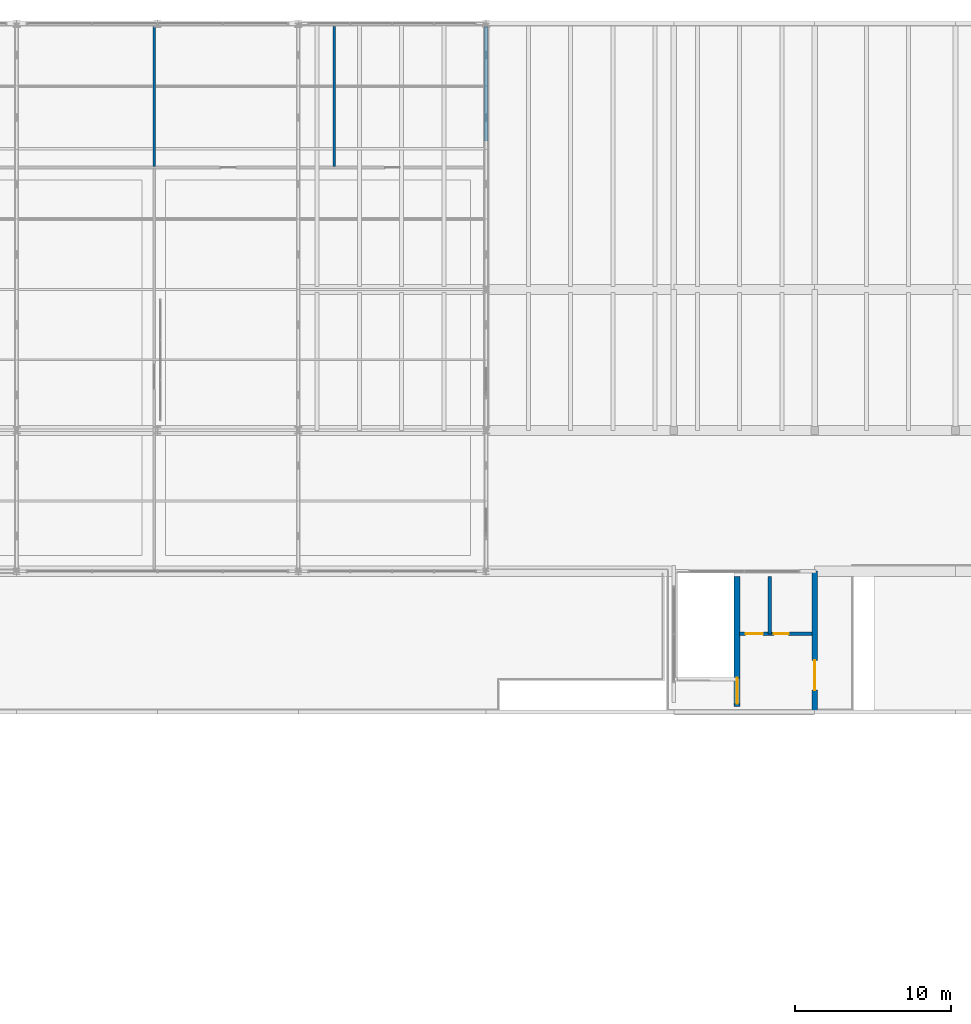
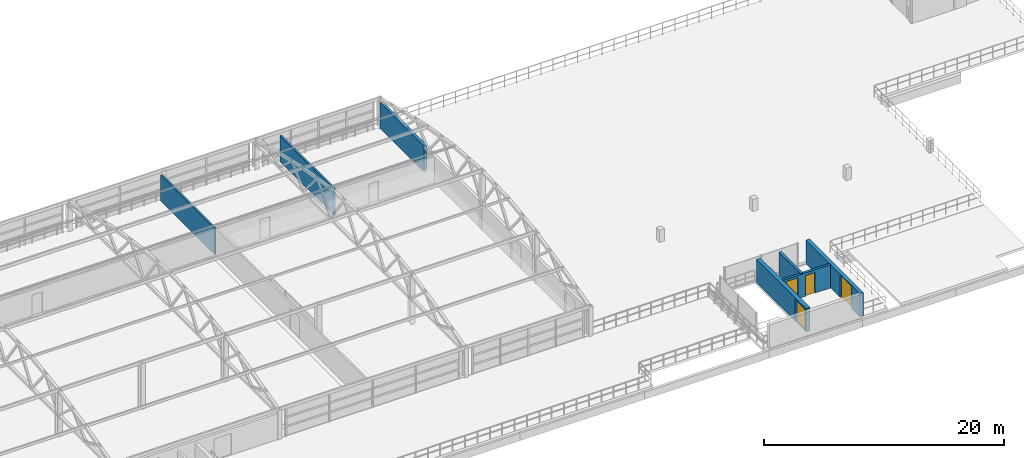
# One storey, part 39 of 50: 7 walls, 4 doors, 4 openings.
"""IFC4 building model written with IfcOpenShell, lengths in metres."""

from ifc_helpers import new_model, si_unit, derived_unit, direction, frame, frame_2d, origin, place, context, subcontext, project, spatial, rectangle, extrude, material, layer, layer_set, type_object, element, fill, save


model = new_model("IFC4")

# Units and contexts
model_context = context("Model", 3, precision=1e-05, world=origin(), true_north=direction((0.0, 1.0)))
body_context = subcontext(model_context, "Body", "Model", "MODEL_VIEW")
ifc_project = project(units=[si_unit("LENGTHUNIT", "METRE"), si_unit("AREAUNIT", "SQUARE_METRE"), si_unit("VOLUMEUNIT", "CUBIC_METRE"), si_unit("PLANEANGLEUNIT", "RADIAN"), si_unit("MASSUNIT", "GRAM", prefix="KILO"), si_unit("THERMODYNAMICTEMPERATUREUNIT", "KELVIN"), derived_unit("THERMALTRANSMITTANCEUNIT", [(si_unit("POWERUNIT", "WATT"), 1), (si_unit("AREAUNIT", "SQUARE_METRE"), -1), (si_unit("THERMODYNAMICTEMPERATUREUNIT", "KELVIN"), -1)])], contexts=[model_context])

# Site, building, storey
site_placement = place(None, origin())
site = spatial("IfcSite", under=ifc_project, at=site_placement, CompositionType="ELEMENT")
building_placement = place(site_placement, origin())
building = spatial("IfcBuilding", under=site, at=building_placement, Name="Haiyu Intermodal Mobility Hub", CompositionType="ELEMENT")
storey_placement = place(building_placement, frame((0.0, 0.0, 25.10009765625)))
storey = spatial("IfcBuildingStorey", under=building, at=storey_placement, Name="L06", CompositionType="ELEMENT", Elevation=25.10009765625)

# Walls
ifc_material_1 = material(Name="Anodised aluminium 6063-T6", Category="aluminium")
ifc_layer_1 = layer(ifc_material_1, 0.280029296875)
ifc_layer_set_1 = layer_set([ifc_layer_1], Name="Anodised aluminium 6063-T6")
wall_type_1 = type_object("IfcWallType", Name="WAL-WE02", PredefinedType="STANDARD", material=ifc_layer_set_1)
wall_1_placement = place(storey_placement, frame((108.0, 140.47998046875, 0.0), z_axis=(0.0, 0.0, 1.0), x_axis=(0.0, 1.0, 0.0)))
element("IfcWall", 1, at=wall_1_placement, inside=storey, type_object=wall_type_1, Name="WAL-V3E-261", PredefinedType="STANDARD", context=body_context, shape_type="SweptSolid", body=[
    extrude(rectangle(XDim=7.31494140625, YDim=0.280029296875, at=frame_2d((3.657470703125, 0.0))), origin(), (0.0, 0.0, 1.0), 2.64990234375),
])
ifc_material_2 = material(Name="Autoclaved aerated concrete block A5.0", Category="concrete")
ifc_layer_2 = layer(ifc_material_2, 0.22998046875)
ifc_layer_set_2 = layer_set([ifc_layer_2], Name="Autoclaved aerated concrete block A5.0")
wall_type_2 = type_object("IfcWallType", Name="WAL-WI01", PredefinedType="PARTITIONING", material=ifc_layer_set_2)
wall_2_placement = place(storey_placement, frame((126.1298828125, 109.0, 0.0), z_axis=(0.0, 0.0, 1.0), x_axis=(0.0, 1.0, 0.0)))
element("IfcWall", 2, at=wall_2_placement, inside=storey, type_object=wall_type_2, Name="WAL-CORE-C6-LSH-L06", PredefinedType="PARTITIONING", context=body_context, shape_type="SweptSolid", body=[
    extrude(rectangle(XDim=3.64990234375, YDim=0.22998046875, at=frame_2d((1.824951171875, 0.0))), origin(), (0.0, 0.0, 1.0), 2.3798828125),
])

# Wall, openings, doors
wall_3_placement = place(storey_placement, frame((124.2099609375, 109.0, 0.0), z_axis=(0.0, 0.0, 1.0), x_axis=(1.0, 0.0, 0.0)))
wall_3 = element("IfcWall", 3, at=wall_3_placement, inside=storey, type_object=wall_type_2, Name="WAL-CORE-C6-LFT-L06", PredefinedType="PARTITIONING", context=body_context, shape_type="SweptSolid", body=[
    extrude(rectangle(XDim=4.630126953125, YDim=0.22998046875, at=frame_2d((2.31494140625, 0.0))), origin(), (0.0, 0.0, 1.0), 2.3798828125),
])
opening_1_placement = place(wall_3_placement, frame((0.3798828125, 0.0, 0.0)))
opening_1 = element("IfcOpeningElement", 4, at=opening_1_placement, cuts=wall_3, Name="Opening LD01", PredefinedType="OPENING", context=body_context, shape_type="SweptSolid", body=[
    extrude(rectangle(XDim=1.10009765625, YDim=2.14990234375, at=frame_2d((0.550048828125, 1.074951171875))), frame((0.0, 0.125, 0.0), z_axis=(0.0, -1.0, 0.0), x_axis=(1.0, 0.0, 0.0)), (0.0, 0.0, 1.0), 0.25),
])
opening_2_placement = place(wall_3_placement, frame((2.179931640625, 0.0, 0.0)))
opening_2 = element("IfcOpeningElement", 5, at=opening_2_placement, cuts=wall_3, Name="Opening DI07", PredefinedType="OPENING", context=body_context, shape_type="SweptSolid", body=[
    extrude(rectangle(XDim=0.949951171875, YDim=2.10009765625, at=frame_2d((0.47509765625, 1.050048828125))), frame((0.0, 0.125, 0.0), z_axis=(0.0, -1.0, 0.0), x_axis=(1.0, 0.0, 0.0)), (0.0, 0.0, 1.0), 0.25),
])
ifc_material_3 = material(Name="Steel Q355C", Category="steel")
door_type_1 = type_object("IfcDoorType", Name="DR-DI07", OperationType="NOTDEFINED", PredefinedType="DOOR", material=ifc_material_3)
door_1_placement = place(opening_2_placement, origin())
door_1 = element("IfcDoor", 6, at=door_1_placement, inside=storey, type_object=door_type_1, Name="Core C6 Accessible WC Door L06", OperationType="SINGLE_SWING_RIGHT", OverallHeight=2.10009765625, OverallWidth=0.949951171875, PredefinedType="DOOR", context=body_context, shape_type="SweptSolid", body=[
    extrude(rectangle(XDim=0.949951171875, YDim=2.10009765625, at=frame_2d((0.47509765625, 1.050048828125))), frame((0.0, 0.02490234375, 0.0), z_axis=(0.0, -1.0, 0.0), x_axis=(1.0, 0.0, 0.0)), (0.0, 0.0, 1.0), 0.050048828125),
])
fill(opening_2, door_1)
door_type_2 = type_object("IfcDoorType", Name="DR-LD01", OperationType="DOUBLE_DOOR_SLIDING", PredefinedType="DOOR", material=ifc_material_3)
door_2_placement = place(opening_1_placement, origin())
door_2 = element("IfcDoor", 7, at=door_2_placement, inside=storey, type_object=door_type_2, Name="Lift FL-03 Sliding Landing Door L06", OperationType="SLIDING_TO_LEFT", OverallHeight=2.14990234375, OverallWidth=1.10009765625, PredefinedType="DOOR", context=body_context, shape_type="SweptSolid", body=[
    extrude(rectangle(XDim=1.10009765625, YDim=2.14990234375, at=frame_2d((0.550048828125, 1.074951171875))), frame((0.0, 0.02490234375, 0.0), z_axis=(0.0, -1.0, 0.0), x_axis=(1.0, 0.0, 0.0)), (0.0, 0.0, 1.0), 0.050048828125),
])
fill(opening_1, door_2)

# Walls
ifc_layer_3 = layer(ifc_material_2, 0.179931640625)
ifc_layer_set_3 = layer_set([ifc_layer_3], Name="Autoclaved aerated concrete block A5.0")
wall_type_3 = type_object("IfcWallType", Name="WAL-WI03", PredefinedType="PARTITIONING", material=ifc_layer_set_3)
for number, where, z_axis, x_axis, name in (
    (8, (86.800048828125, 138.85009765625, 0.0), (0.0, 0.0, 1.0), (0.0, 1.0, 0.0), "WAL-INT-0049"),
    (9, (98.300048828125, 138.85009765625, 0.0), (0.0, 0.0, 1.0), (0.0, 1.0, 0.0), "WAL-INT-0050"),
):
    element("IfcWall", number, at=place(storey_placement, frame(where, z_axis=z_axis, x_axis=x_axis)), inside=storey, type_object=wall_type_3, Name=name, PredefinedType="PARTITIONING", context=body_context, shape_type="SweptSolid", body=[
        extrude(rectangle(XDim=8.969970703125, YDim=0.179931640625, at=frame_2d((4.48486328125, 0.0))), origin(), (0.0, 0.0, 1.0), 2.64990234375),
    ])

# Wall, opening, door
ifc_material_4 = material(Name="Concrete C40", Category="concrete")
ifc_layer_4 = layer(ifc_material_4, 0.35009765625)
ifc_layer_set_4 = layer_set([ifc_layer_4], Name="Concrete C40")
wall_type_4 = type_object("IfcWallType", Name="WAL-WS02", PredefinedType="SHEAR", material=ifc_layer_set_4)
wall_4_placement = place(storey_placement, frame((129.0, 104.0, 0.0), z_axis=(0.0, 0.0, 1.0), x_axis=(0.0, 1.0, 0.0)))
wall_4 = element("IfcWall", 10, at=wall_4_placement, inside=storey, type_object=wall_type_4, Name="WAL-CORE-C6-E-L06", PredefinedType="SHEAR", context=body_context, shape_type="SweptSolid", body=[
    extrude(rectangle(XDim=9.0, YDim=0.35009765625, at=frame_2d((4.5, 0.0))), origin(), (0.0, 0.0, 1.0), 2.3798828125),
])
opening_3_placement = place(wall_4_placement, frame((1.39990234375, 0.0, 0.0)))
opening_3 = element("IfcOpeningElement", 11, at=opening_3_placement, cuts=wall_4, Name="Opening DI01", PredefinedType="OPENING", context=body_context, shape_type="SweptSolid", body=[
    extrude(rectangle(XDim=1.89990234375, YDim=2.300048828125, at=frame_2d((0.949951171875, 1.14990234375))), frame((0.0, 0.18505859375, 0.0), z_axis=(0.0, -1.0, 0.0), x_axis=(1.0, 0.0, 0.0)), (0.0, 0.0, 1.0), 0.3701171875),
])
door_type_3 = type_object("IfcDoorType", Name="DR-DI01", OperationType="DOUBLE_DOOR_SINGLE_SWING", PredefinedType="DOOR", material=ifc_material_3)
door_3_placement = place(opening_3_placement, origin())
door_3 = element("IfcDoor", 12, at=door_3_placement, inside=storey, type_object=door_type_3, Name="Core C6 Lobby Fire Door L06", OperationType="SINGLE_SWING_RIGHT", OverallHeight=2.300048828125, OverallWidth=1.89990234375, PredefinedType="DOOR", context=body_context, shape_type="SweptSolid", body=[
    extrude(rectangle(XDim=1.89990234375, YDim=2.300048828125, at=frame_2d((0.949951171875, 1.14990234375))), frame((0.0, 0.02490234375, 0.0), z_axis=(0.0, -1.0, 0.0), x_axis=(1.0, 0.0, 0.0)), (0.0, 0.0, 1.0), 0.050048828125),
])
fill(opening_3, door_3)

ifc_layer_5 = layer(ifc_material_4, 0.3798828125)
ifc_layer_set_5 = layer_set([ifc_layer_5], Name="Concrete C40")
wall_type_5 = type_object("IfcWallType", Name="WAL-WS03", PredefinedType="SHEAR", material=ifc_layer_set_5)
wall_5_placement = place(storey_placement, frame((124.050048828125, 104.35009765625, 0.0), z_axis=(0.0, 0.0, 1.0), x_axis=(0.0, 1.0, 0.0)))
wall_5 = element("IfcWall", 13, at=wall_5_placement, inside=storey, type_object=wall_type_5, Name="WAL-CORE-C6-MID-L06", PredefinedType="SHEAR", context=body_context, shape_type="SweptSolid", body=[
    extrude(rectangle(XDim=8.2998046875, YDim=0.3798828125, at=frame_2d((4.14990234375, 0.0))), origin(), (0.0, 0.0, 1.0), 2.3798828125),
])
opening_4_placement = place(wall_5_placement, frame((0.179931640625, 0.0, 0.0)))
opening_4 = element("IfcOpeningElement", 14, at=opening_4_placement, cuts=wall_5, Name="Opening DI02", PredefinedType="OPENING", context=body_context, shape_type="SweptSolid", body=[
    extrude(rectangle(XDim=1.64990234375, YDim=2.199951171875, at=frame_2d((0.824951171875, 1.10009765625))), frame((0.0, 0.199951171875, 0.0), z_axis=(0.0, -1.0, 0.0), x_axis=(1.0, 0.0, 0.0)), (0.0, 0.0, 1.0), 0.39990234375),
])
door_type_4 = type_object("IfcDoorType", Name="DR-DI02", OperationType="DOUBLE_DOOR_SINGLE_SWING", PredefinedType="DOOR", material=ifc_material_3)
door_4_placement = place(opening_4_placement, origin())
door_4 = element("IfcDoor", 15, at=door_4_placement, inside=storey, type_object=door_type_4, Name="Stair ST01 Fire Door L06", OperationType="SINGLE_SWING_RIGHT", OverallHeight=2.199951171875, OverallWidth=1.64990234375, PredefinedType="DOOR", context=body_context, shape_type="SweptSolid", body=[
    extrude(rectangle(XDim=1.64990234375, YDim=2.199951171875, at=frame_2d((0.824951171875, 1.10009765625))), frame((0.0, 0.02490234375, 0.0), z_axis=(0.0, -1.0, 0.0), x_axis=(1.0, 0.0, 0.0)), (0.0, 0.0, 1.0), 0.050048828125),
])
fill(opening_4, door_4)

save(model, "model.ifc")
